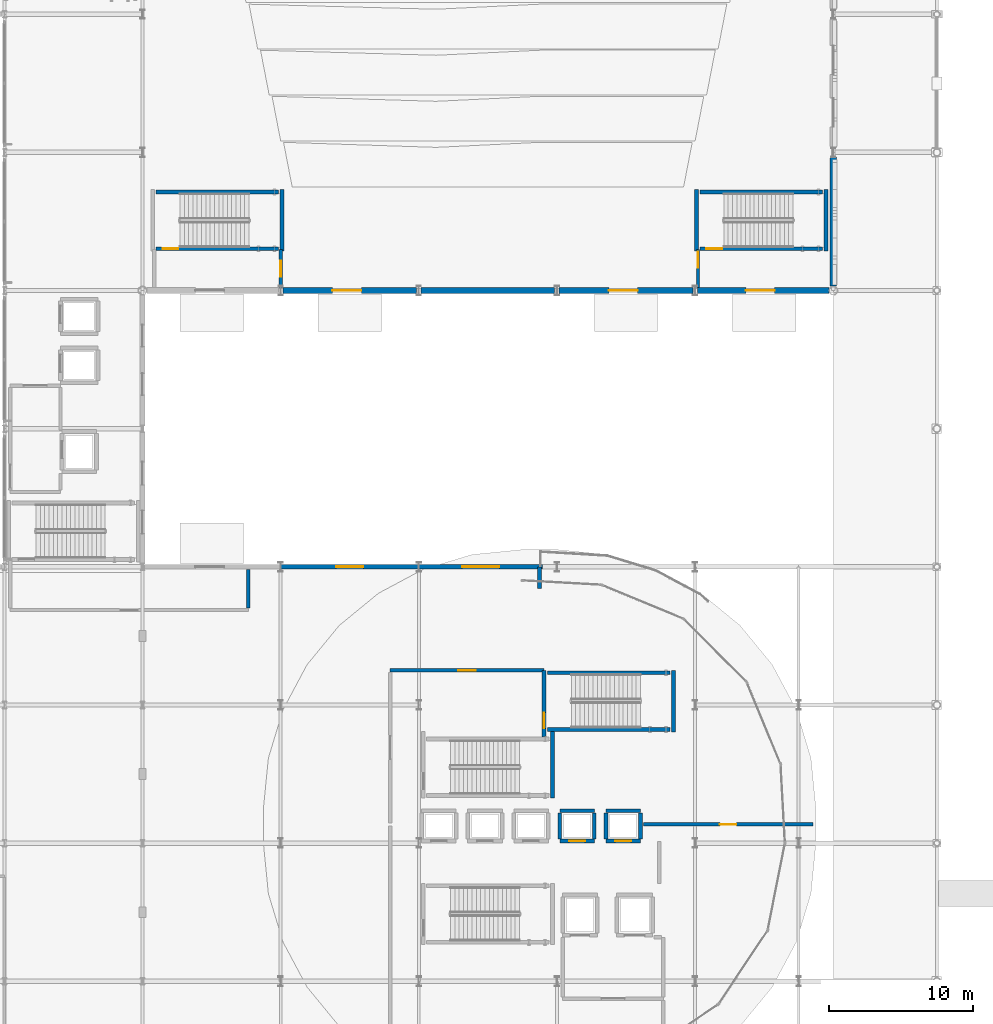
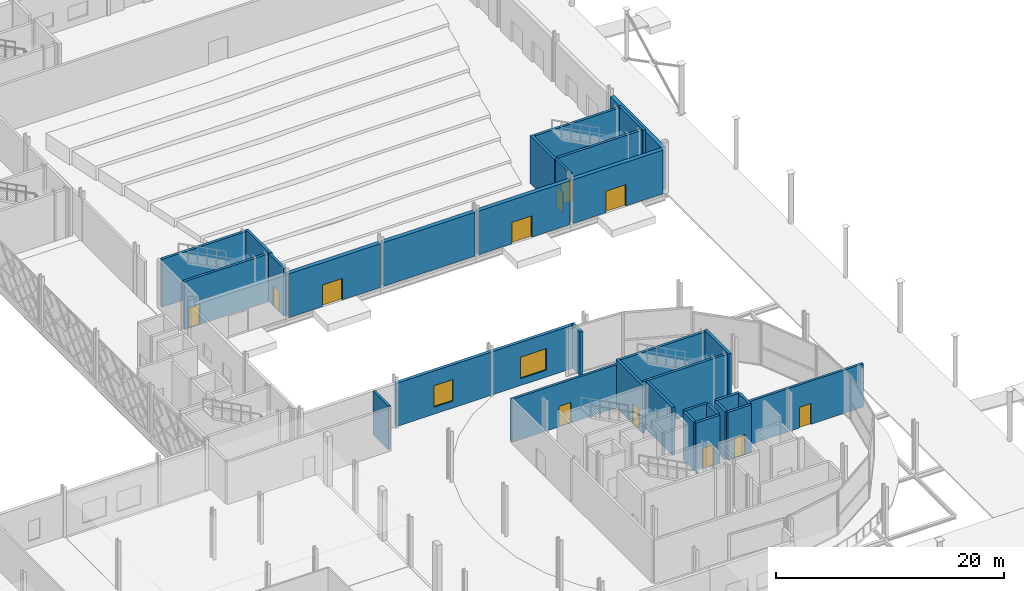
# One storey, part 59 of 84: 33 walls, 12 doors, 2 windows, 14 openings.
"""IFC4 building model written with IfcOpenShell, lengths in metres."""

from ifc_helpers import new_model, si_unit, direction, frame, frame_2d, origin, place, context, subcontext, project, spatial, rectangle, extrude, material, layer, layer_set, type_object, element, fill, save


model = new_model("IFC4")

# Units and contexts
model_context = context("Model", 3, precision=1e-05, world=origin(), true_north=direction((0.0, 1.0)))
body_context = subcontext(model_context, "Body", "Model", "MODEL_VIEW")
ifc_project = project(units=[si_unit("LENGTHUNIT", "METRE"), si_unit("AREAUNIT", "SQUARE_METRE"), si_unit("VOLUMEUNIT", "CUBIC_METRE"), si_unit("PLANEANGLEUNIT", "RADIAN"), si_unit("MASSUNIT", "GRAM", prefix="KILO")], contexts=[model_context])

# Site, building, storey
site_placement = place(None, origin())
site = spatial("IfcSite", under=ifc_project, at=site_placement, CompositionType="ELEMENT")
building_placement = place(site_placement, origin())
building = spatial("IfcBuilding", under=site, at=building_placement, Name="Zevrakil Square Congress Hotel", CompositionType="ELEMENT")
storey_placement = place(building_placement, origin())
storey = spatial("IfcBuildingStorey", under=building, at=storey_placement, Name="L01", CompositionType="ELEMENT", Elevation=0.0)

# Wall, opening, door
ifc_material_1 = material(Name="Concrete C35/45", Category="concrete")
ifc_layer_1 = layer(ifc_material_1, 0.239990234375)
ifc_layer_set_1 = layer_set([ifc_layer_1], Name="Concrete C35/45")
wall_type_1 = type_object("IfcWallType", Name="WAL-COMP-240", PredefinedType="SOLIDWALL", material=ifc_layer_set_1)
wall_1_placement = place(storey_placement, frame((134.800048828125, 38.39990234375, 0.0), z_axis=(0.0, 0.0, 1.0), x_axis=(1.0, 0.0, 0.0)))
wall_1 = element("IfcWall", 1, at=wall_1_placement, inside=storey, type_object=wall_type_1, Name="L01 interior partition PW-L01-0039", PredefinedType="SOLIDWALL", context=body_context, shape_type="SweptSolid", body=[
    extrude(rectangle(XDim=10.699951171875, YDim=0.239990234375, at=frame_2d((5.35009765625, 0.0))), origin(), (0.0, 0.0, 1.0), 4.625),
])
opening_1_placement = place(wall_1_placement, frame((4.75, 0.0, 0.0)))
opening_1 = element("IfcOpeningElement", 2, at=opening_1_placement, cuts=wall_1, Name="Opening FD90", PredefinedType="OPENING", context=body_context, shape_type="SweptSolid", body=[
    extrude(rectangle(XDim=1.199951171875, YDim=2.199951171875, at=frame_2d((0.60009765625, 1.10009765625))), frame((0.0, 0.1298828125, 0.0), z_axis=(0.0, -1.0, 0.0), x_axis=(1.0, 0.0, 0.0)), (0.0, 0.0, 1.0), 0.260009765625),
])
ifc_material_2 = material(Name="Steel S355 Fire-Rated Door", Category="steel")
door_type_1 = type_object("IfcDoorType", Name="DOR-STAIR-FD90-120", OperationType="NOTDEFINED", PredefinedType="DOOR", material=ifc_material_2)
door_1_placement = place(opening_1_placement, origin())
door_1 = element("IfcDoor", 3, at=door_1_placement, inside=storey, type_object=door_type_1, Name="L01 interior door 11", OperationType="SINGLE_SWING_LEFT", OverallHeight=2.199951171875, OverallWidth=1.199951171875, PredefinedType="DOOR", context=body_context, shape_type="SweptSolid", body=[
    extrude(rectangle(XDim=1.199951171875, YDim=2.199951171875, at=frame_2d((0.60009765625, 1.10009765625))), frame((0.0, 0.02490234375, 0.0), z_axis=(0.0, -1.0, 0.0), x_axis=(1.0, 0.0, 0.0)), (0.0, 0.0, 1.0), 0.050048828125),
])
fill(opening_1, door_1)

wall_2_placement = place(storey_placement, frame((152.39990234375, 27.699951171875, 0.0), z_axis=(0.0, 0.0, 1.0), x_axis=(1.0, 0.0, 0.0)))
wall_2 = element("IfcWall", 4, at=wall_2_placement, inside=storey, type_object=wall_type_1, Name="L01 interior partition PW-L01-0041", PredefinedType="SOLIDWALL", context=body_context, shape_type="SweptSolid", body=[
    extrude(rectangle(XDim=11.800048828125, YDim=0.239990234375, at=frame_2d((5.89990234375, 0.0))), origin(), (0.0, 0.0, 1.0), 4.625),
])
opening_2_placement = place(wall_2_placement, frame((5.324951171875, 0.0, 0.0)))
opening_2 = element("IfcOpeningElement", 5, at=opening_2_placement, cuts=wall_2, Name="Opening ID-17", PredefinedType="OPENING", context=body_context, shape_type="SweptSolid", body=[
    extrude(rectangle(XDim=1.14990234375, YDim=2.219970703125, at=frame_2d((0.574951171875, 1.10986328125))), frame((0.0, 0.1298828125, 0.0), z_axis=(0.0, -1.0, 0.0), x_axis=(1.0, 0.0, 0.0)), (0.0, 0.0, 1.0), 0.260009765625),
])
ifc_material_3 = material(Name="Acoustic Timber Fire Door", Category="wood")
door_type_2 = type_object("IfcDoorType", Name="DOR-INT-V07", OperationType="NOTDEFINED", PredefinedType="DOOR", material=ifc_material_3)
door_2_placement = place(opening_2_placement, origin())
door_2 = element("IfcDoor", 6, at=door_2_placement, inside=storey, type_object=door_type_2, Name="L01 interior door 12", OperationType="SINGLE_SWING_RIGHT", OverallHeight=2.219970703125, OverallWidth=1.14990234375, PredefinedType="DOOR", context=body_context, shape_type="SweptSolid", body=[
    extrude(rectangle(XDim=1.14990234375, YDim=2.219970703125, at=frame_2d((0.574951171875, 1.10986328125))), frame((0.0, 0.02490234375, 0.0), z_axis=(0.0, -1.0, 0.0), x_axis=(1.0, 0.0, 0.0)), (0.0, 0.0, 1.0), 0.050048828125),
])
fill(opening_2, door_2)

wall_3_placement = place(storey_placement, frame((127.199951171875, 65.0, 0.0), z_axis=(0.0, 0.0, 1.0), x_axis=(0.0, 1.0, 0.0)))
wall_3 = element("IfcWall", 7, at=wall_3_placement, inside=storey, type_object=wall_type_1, Name="L01 interior partition PW-L01-0155", PredefinedType="SOLIDWALL", context=body_context, shape_type="SweptSolid", body=[
    extrude(rectangle(XDim=2.64990234375, YDim=0.239990234375, at=frame_2d((1.324951171875, 0.0))), origin(), (0.0, 0.0, 1.0), 5.139892578125),
])
opening_3_placement = place(wall_3_placement, frame((0.77490234375, 0.0, 0.0)))
opening_3 = element("IfcOpeningElement", 8, at=opening_3_placement, cuts=wall_3, Name="Opening FD90-B", PredefinedType="OPENING", context=body_context, shape_type="SweptSolid", body=[
    extrude(rectangle(XDim=1.10009765625, YDim=2.199951171875, at=frame_2d((0.550048828125, 1.10009765625))), frame((0.0, 0.1298828125, 0.0), z_axis=(0.0, -1.0, 0.0), x_axis=(1.0, 0.0, 0.0)), (0.0, 0.0, 1.0), 0.260009765625),
])
ifc_material_4 = material(Name="Steel S355 Fire-Rated Door", Category="steel")
door_type_3 = type_object("IfcDoorType", Name="DOR-STAIR-FD90-110", OperationType="NOTDEFINED", PredefinedType="DOOR", material=ifc_material_4)
door_3_placement = place(opening_3_placement, origin())
door_3 = element("IfcDoor", 9, at=door_3_placement, inside=storey, type_object=door_type_3, Name="L01 interior door 61", OperationType="SINGLE_SWING_LEFT", OverallHeight=2.199951171875, OverallWidth=1.10009765625, PredefinedType="DOOR", context=body_context, shape_type="SweptSolid", body=[
    extrude(rectangle(XDim=1.10009765625, YDim=2.199951171875, at=frame_2d((0.550048828125, 1.10009765625))), frame((0.0, 0.02490234375, 0.0), z_axis=(0.0, -1.0, 0.0), x_axis=(1.0, 0.0, 0.0)), (0.0, 0.0, 1.0), 0.050048828125),
])
fill(opening_3, door_3)

wall_4_placement = place(storey_placement, frame((156.199951171875, 65.0, 0.0), z_axis=(0.0, 0.0, 1.0), x_axis=(0.0, 1.0, 0.0)))
wall_4 = element("IfcWall", 10, at=wall_4_placement, inside=storey, type_object=wall_type_1, Name="L01 interior partition PW-L01-0156", PredefinedType="SOLIDWALL", context=body_context, shape_type="SweptSolid", body=[
    extrude(rectangle(XDim=2.64990234375, YDim=0.239990234375, at=frame_2d((1.324951171875, 0.0))), origin(), (0.0, 0.0, 1.0), 5.139892578125),
])
opening_4_placement = place(wall_4_placement, frame((1.389892578125, 0.0, 0.0)))
opening_4 = element("IfcOpeningElement", 11, at=opening_4_placement, cuts=wall_4, Name="Opening FD90-B", PredefinedType="OPENING", context=body_context, shape_type="SweptSolid", body=[
    extrude(rectangle(XDim=1.10009765625, YDim=2.199951171875, at=frame_2d((0.550048828125, 1.10009765625))), frame((0.0, 0.1298828125, 0.0), z_axis=(0.0, -1.0, 0.0), x_axis=(1.0, 0.0, 0.0)), (0.0, 0.0, 1.0), 0.260009765625),
])
door_4_placement = place(opening_4_placement, origin())
door_4 = element("IfcDoor", 12, at=door_4_placement, inside=storey, type_object=door_type_3, Name="L01 interior door 62", OperationType="SINGLE_SWING_RIGHT", OverallHeight=2.199951171875, OverallWidth=1.10009765625, PredefinedType="DOOR", context=body_context, shape_type="SweptSolid", body=[
    extrude(rectangle(XDim=1.10009765625, YDim=2.199951171875, at=frame_2d((0.550048828125, 1.10009765625))), frame((0.0, 0.02490234375, 0.0), z_axis=(0.0, -1.0, 0.0), x_axis=(1.0, 0.0, 0.0)), (0.0, 0.0, 1.0), 0.050048828125),
])
fill(opening_4, door_4)

# Wall
wall_5_placement = place(storey_placement, frame((124.949951171875, 42.72998046875, 0.0), z_axis=(0.0, 0.0, 1.0), x_axis=(0.0, 1.0, 0.0)))
element("IfcWall", 13, at=wall_5_placement, inside=storey, type_object=wall_type_1, Name="L01 interior partition PW-L01-0166", PredefinedType="SOLIDWALL", context=body_context, shape_type="SweptSolid", body=[
    extrude(rectangle(XDim=2.68994140625, YDim=0.239990234375, at=frame_2d((1.344970703125, 0.0))), origin(), (0.0, 0.0, 1.0), 4.68505859375),
])

# Wall, opening, window
ifc_material_5 = material(Name="Precast concrete C40/50", Category="concrete")
ifc_layer_2 = layer(ifc_material_5, 0.320068359375)
ifc_layer_set_2 = layer_set([ifc_layer_2], Name="Precast concrete C40/50")
wall_type_2 = type_object("IfcWallType", Name="WAL-EXT-GRC-320", PredefinedType="SOLIDWALL", material=ifc_layer_set_2)
wall_6_placement = place(storey_placement, frame((127.202880859375, 45.60009765625, 0.0), z_axis=(0.0, 0.0, 1.0), x_axis=(1.0, 0.0, 0.0)))
wall_6 = element("IfcWall", 14, at=wall_6_placement, inside=storey, type_object=wall_type_2, Name="L01 exterior GRC wall EW-L01-0096", PredefinedType="SOLIDWALL", context=body_context, shape_type="SweptSolid", body=[
    extrude(rectangle(XDim=9.59423828125, YDim=0.320068359375, at=frame_2d((4.797119140625, 0.0))), origin(), (0.0, 0.0, 1.0), 4.625),
])
opening_5_placement = place(wall_6_placement, frame((3.846923828125, 0.0, 0.75)))
opening_5 = element("IfcOpeningElement", 15, at=opening_5_placement, cuts=wall_6, Name="Opening WN-38", PredefinedType="OPENING", context=body_context, shape_type="SweptSolid", body=[
    extrude(rectangle(XDim=1.89990234375, YDim=2.300048828125, at=frame_2d((0.949951171875, 1.14990234375))), frame((0.0, 0.169921875, 0.0), z_axis=(0.0, -1.0, 0.0), x_axis=(1.0, 0.0, 0.0)), (0.0, 0.0, 1.0), 0.340087890625),
])
ifc_material_6 = material(Name="Low-E Solar Control Double Glazing", Category="glass")
window_type_1 = type_object("IfcWindowType", Name="WIN-EXT-38", PartitioningType="SINGLE_PANEL", PredefinedType="WINDOW", material=ifc_material_6)
window_1_placement = place(opening_5_placement, origin())
window_1 = element("IfcWindow", 16, at=window_1_placement, inside=storey, type_object=window_type_1, Name="L01 low-E solar window 82", OverallHeight=2.300048828125, OverallWidth=1.89990234375, PartitioningType="SINGLE_PANEL", PredefinedType="WINDOW", context=body_context, shape_type="SweptSolid", body=[
    extrude(rectangle(XDim=1.89990234375, YDim=2.300048828125, at=frame_2d((0.949951171875, 1.14990234375))), frame((0.0, 0.030029296875, 0.0), z_axis=(0.0, -1.0, 0.0), x_axis=(1.0, 0.0, 0.0)), (0.0, 0.0, 1.0), 0.06005859375),
])
fill(opening_5, window_1)

wall_7_placement = place(storey_placement, frame((136.802978515625, 45.60009765625, 0.0), z_axis=(0.0, 0.0, 1.0), x_axis=(1.0, 0.0, 0.0)))
wall_7 = element("IfcWall", 17, at=wall_7_placement, inside=storey, type_object=wall_type_2, Name="L01 exterior GRC wall EW-L01-0099", PredefinedType="SOLIDWALL", context=body_context, shape_type="SweptSolid", body=[
    extrude(rectangle(XDim=8.596923828125, YDim=0.320068359375, at=frame_2d((4.29833984375, 0.0))), origin(), (0.0, 0.0, 1.0), 4.625),
])
opening_6_placement = place(wall_7_placement, frame((2.99853515625, 0.0, 0.75)))
opening_6 = element("IfcOpeningElement", 18, at=opening_6_placement, cuts=wall_7, Name="Opening WN-40", PredefinedType="OPENING", context=body_context, shape_type="SweptSolid", body=[
    extrude(rectangle(XDim=2.60009765625, YDim=2.300048828125, at=frame_2d((1.300048828125, 1.14990234375))), frame((0.0, 0.169921875, 0.0), z_axis=(0.0, -1.0, 0.0), x_axis=(1.0, 0.0, 0.0)), (0.0, 0.0, 1.0), 0.340087890625),
])
ifc_material_7 = material(Name="Low-E Solar Control Double Glazing", Category="glass")
window_type_2 = type_object("IfcWindowType", Name="WIN-EXT-40", PartitioningType="SINGLE_PANEL", PredefinedType="WINDOW", material=ifc_material_7)
window_2_placement = place(opening_6_placement, origin())
window_2 = element("IfcWindow", 19, at=window_2_placement, inside=storey, type_object=window_type_2, Name="L01 low-E solar window 84", OverallHeight=2.300048828125, OverallWidth=2.60009765625, PartitioningType="SINGLE_PANEL", PredefinedType="WINDOW", context=body_context, shape_type="SweptSolid", body=[
    extrude(rectangle(XDim=2.60009765625, YDim=2.300048828125, at=frame_2d((1.300048828125, 1.14990234375))), frame((0.0, 0.030029296875, 0.0), z_axis=(0.0, -1.0, 0.0), x_axis=(1.0, 0.0, 0.0)), (0.0, 0.0, 1.0), 0.06005859375),
])
fill(opening_6, window_2)

# Wall
ifc_material_8 = material(Name="Precast concrete C40/50", Category="concrete")
ifc_layer_3 = layer(ifc_material_8, 0.419921875)
ifc_layer_set_3 = layer_set([ifc_layer_3], Name="Precast concrete C40/50")
wall_type_3 = type_object("IfcWallType", Name="WAL-EXT-HALL-420", PredefinedType="SOLIDWALL", material=ifc_layer_set_3)
wall_8_placement = place(storey_placement, frame((165.60009765625, 65.10888671875, 0.0), z_axis=(0.0, 0.0, 1.0), x_axis=(0.0, 1.0, 0.0)))
element("IfcWall", 20, at=wall_8_placement, inside=storey, type_object=wall_type_3, Name="L01 exterior GRC wall EW-L01-0071", PredefinedType="SOLIDWALL", context=body_context, shape_type="SweptSolid", body=[
    extrude(rectangle(XDim=8.962158203125, YDim=0.419921875, at=frame_2d((4.48095703125, 0.0))), origin(), (0.0, 0.0, 1.0), 4.625),
])

# Wall, opening, door
wall_9_placement = place(storey_placement, frame((127.35400390625, 64.800048828125, 0.0), z_axis=(0.0, 0.0, 1.0), x_axis=(1.0, 0.0, 0.0)))
wall_9 = element("IfcWall", 21, at=wall_9_placement, inside=storey, type_object=wall_type_3, Name="L01 exterior GRC wall EW-L01-0079", PredefinedType="SOLIDWALL", context=body_context, shape_type="SweptSolid", body=[
    extrude(rectangle(XDim=9.2919921875, YDim=0.419921875, at=frame_2d((4.64599609375, 0.0))), origin(), (0.0, 0.0, 1.0), 4.68505859375),
])
opening_7_placement = place(wall_9_placement, frame((3.446044921875, 0.0, 0.0)))
opening_7 = element("IfcOpeningElement", 22, at=opening_7_placement, cuts=wall_9, Name="Opening E44", PredefinedType="OPENING", context=body_context, shape_type="SweptSolid", body=[
    extrude(rectangle(XDim=2.0, YDim=2.300048828125, at=frame_2d((1.0, 1.14990234375))), frame((0.0, 0.219970703125, 0.0), z_axis=(0.0, -1.0, 0.0), x_axis=(1.0, 0.0, 0.0)), (0.0, 0.0, 1.0), 0.43994140625),
])
ifc_material_9 = material(Name="Aluminium Thermal-Break Glazed Door", Category="aluminium")
door_type_4 = type_object("IfcDoorType", Name="DOR-EXIT-200", OperationType="NOTDEFINED", PredefinedType="DOOR", material=ifc_material_9)
door_5_placement = place(opening_7_placement, frame((2.0, 0.0, 0.0), z_axis=(0.0, 0.0, 1.0), x_axis=(-1.0, 0.0, 0.0)))
door_5 = element("IfcDoor", 23, at=door_5_placement, inside=storey, type_object=door_type_4, Name="L01 pedestrian final exit door E44", OperationType="DOUBLE_DOOR_SINGLE_SWING", OverallHeight=2.300048828125, OverallWidth=2.0, PredefinedType="DOOR", context=body_context, shape_type="SweptSolid", body=[
    extrude(rectangle(XDim=2.0, YDim=2.300048828125, at=frame_2d((1.0, 1.14990234375))), frame((0.0, 0.02490234375, 0.0), z_axis=(0.0, -1.0, 0.0), x_axis=(1.0, 0.0, 0.0)), (0.0, 0.0, 1.0), 0.050048828125),
])
fill(opening_7, door_5)

# Wall
wall_10_placement = place(storey_placement, frame((136.9541015625, 64.800048828125, 0.0), z_axis=(0.0, 0.0, 1.0), x_axis=(1.0, 0.0, 0.0)))
element("IfcWall", 24, at=wall_10_placement, inside=storey, type_object=wall_type_3, Name="L01 exterior GRC wall EW-L01-0080", PredefinedType="SOLIDWALL", context=body_context, shape_type="SweptSolid", body=[
    extrude(rectangle(XDim=9.2919921875, YDim=0.419921875, at=frame_2d((4.64599609375, 0.0))), origin(), (0.0, 0.0, 1.0), 4.68505859375),
])

# Wall, opening, door
wall_11_placement = place(storey_placement, frame((146.553955078125, 64.800048828125, 0.0), z_axis=(0.0, 0.0, 1.0), x_axis=(1.0, 0.0, 0.0)))
wall_11 = element("IfcWall", 25, at=wall_11_placement, inside=storey, type_object=wall_type_3, Name="L01 exterior GRC wall EW-L01-0081", PredefinedType="SOLIDWALL", context=body_context, shape_type="SweptSolid", body=[
    extrude(rectangle(XDim=9.2919921875, YDim=0.419921875, at=frame_2d((4.64599609375, 0.0))), origin(), (0.0, 0.0, 1.0), 4.68505859375),
])
opening_8_placement = place(wall_11_placement, frame((3.446044921875, 0.0, 0.0)))
opening_8 = element("IfcOpeningElement", 26, at=opening_8_placement, cuts=wall_11, Name="Opening E45", PredefinedType="OPENING", context=body_context, shape_type="SweptSolid", body=[
    extrude(rectangle(XDim=2.0, YDim=2.300048828125, at=frame_2d((1.0, 1.14990234375))), frame((0.0, 0.219970703125, 0.0), z_axis=(0.0, -1.0, 0.0), x_axis=(1.0, 0.0, 0.0)), (0.0, 0.0, 1.0), 0.43994140625),
])
door_6_placement = place(opening_8_placement, frame((2.0, 0.0, 0.0), z_axis=(0.0, 0.0, 1.0), x_axis=(-1.0, 0.0, 0.0)))
door_6 = element("IfcDoor", 27, at=door_6_placement, inside=storey, type_object=door_type_4, Name="L01 pedestrian final exit door E45", OperationType="DOUBLE_DOOR_SINGLE_SWING", OverallHeight=2.300048828125, OverallWidth=2.0, PredefinedType="DOOR", context=body_context, shape_type="SweptSolid", body=[
    extrude(rectangle(XDim=2.0, YDim=2.300048828125, at=frame_2d((1.0, 1.14990234375))), frame((0.0, 0.02490234375, 0.0), z_axis=(0.0, -1.0, 0.0), x_axis=(1.0, 0.0, 0.0)), (0.0, 0.0, 1.0), 0.050048828125),
])
fill(opening_8, door_6)

wall_12_placement = place(storey_placement, frame((156.154052734375, 64.800048828125, 0.0), z_axis=(0.0, 0.0, 1.0), x_axis=(1.0, 0.0, 0.0)))
wall_12 = element("IfcWall", 28, at=wall_12_placement, inside=storey, type_object=wall_type_3, Name="L01 exterior GRC wall EW-L01-0082", PredefinedType="SOLIDWALL", context=body_context, shape_type="SweptSolid", body=[
    extrude(rectangle(XDim=9.136962890625, YDim=0.419921875, at=frame_2d((4.568359375, 0.0))), origin(), (0.0, 0.0, 1.0), 4.68505859375),
])
opening_9_placement = place(wall_12_placement, frame((3.368408203125, 0.0, 0.0)))
opening_9 = element("IfcOpeningElement", 29, at=opening_9_placement, cuts=wall_12, Name="Opening E46", PredefinedType="OPENING", context=body_context, shape_type="SweptSolid", body=[
    extrude(rectangle(XDim=2.0, YDim=2.300048828125, at=frame_2d((1.0, 1.14990234375))), frame((0.0, 0.219970703125, 0.0), z_axis=(0.0, -1.0, 0.0), x_axis=(1.0, 0.0, 0.0)), (0.0, 0.0, 1.0), 0.43994140625),
])
door_7_placement = place(opening_9_placement, frame((2.0, 0.0, 0.0), z_axis=(0.0, 0.0, 1.0), x_axis=(-1.0, 0.0, 0.0)))
door_7 = element("IfcDoor", 30, at=door_7_placement, inside=storey, type_object=door_type_4, Name="L01 pedestrian final exit door E46", OperationType="DOUBLE_DOOR_SINGLE_SWING", OverallHeight=2.300048828125, OverallWidth=2.0, PredefinedType="DOOR", context=body_context, shape_type="SweptSolid", body=[
    extrude(rectangle(XDim=2.0, YDim=2.300048828125, at=frame_2d((1.0, 1.14990234375))), frame((0.0, 0.02490234375, 0.0), z_axis=(0.0, -1.0, 0.0), x_axis=(1.0, 0.0, 0.0)), (0.0, 0.0, 1.0), 0.050048828125),
])
fill(opening_9, door_7)

# Walls
ifc_material_10 = material(Name="Precast concrete C40/50", Category="concrete")
ifc_layer_4 = layer(ifc_material_10, 0.280029296875)
ifc_layer_set_4 = layer_set([ifc_layer_4], Name="Precast concrete C40/50")
wall_type_4 = type_object("IfcWallType", Name="WAL-EXT-PAV-280", PredefinedType="SOLIDWALL", material=ifc_layer_set_4)
wall_13_placement = place(storey_placement, frame((145.199951171875, 44.10009765625, 0.0), z_axis=(0.0, 0.0, 1.0), x_axis=(0.0, 1.0, 0.0)))
element("IfcWall", 31, at=wall_13_placement, inside=storey, type_object=wall_type_4, Name="L01 exterior GRC wall EW-L01-0103", PredefinedType="SOLIDWALL", context=body_context, shape_type="SweptSolid", body=[
    extrude(rectangle(XDim=1.5, YDim=0.280029296875, at=frame_2d((0.75, 0.0))), origin(), (0.0, 0.0, 1.0), 4.68505859375),
])
ifc_material_11 = material(Name="Concrete C40/50", Category="concrete")
ifc_layer_5 = layer(ifc_material_11, 0.260009765625)
ifc_layer_set_5 = layer_set([ifc_layer_5], Name="Concrete C40/50")
wall_type_5 = type_object("IfcWallType", Name="WAL-SHAFT-260", PredefinedType="SHEAR", material=ifc_layer_set_5)
wall_14_placement = place(storey_placement, frame((146.094970703125, 29.5400390625, 0.0), z_axis=(0.0, 0.0, 1.0), x_axis=(0.0, 1.0, 0.0)))
element("IfcWall", 32, at=wall_14_placement, inside=storey, type_object=wall_type_5, Name="L01 ST02 stair shaft E wall", PredefinedType="SHEAR", context=body_context, shape_type="SweptSolid", body=[
    extrude(rectangle(XDim=4.635009765625, YDim=0.260009765625, at=frame_2d((2.3173828125, 0.0))), origin(), (0.0, 0.0, 1.0), 5.139892578125),
])

# Wall, opening, door
wall_15_placement = place(storey_placement, frame((145.5048828125, 33.764892578125, 0.0), z_axis=(0.0, 0.0, 1.0), x_axis=(0.0, 1.0, 0.0)))
wall_15 = element("IfcWall", 33, at=wall_15_placement, inside=storey, type_object=wall_type_5, Name="L01 ST03 stair shaft W wall", PredefinedType="SHEAR", context=body_context, shape_type="SweptSolid", body=[
    extrude(rectangle(XDim=4.64501953125, YDim=0.260009765625, at=frame_2d((2.322509765625, 0.0))), origin(), (0.0, 0.0, 1.0), 5.139892578125),
])
opening_10_placement = place(wall_15_placement, frame((0.610107421875, 0.0, 0.0)))
opening_10 = element("IfcOpeningElement", 34, at=opening_10_placement, cuts=wall_15, Name="Opening SD-ST03", PredefinedType="OPENING", context=body_context, shape_type="SweptSolid", body=[
    extrude(rectangle(XDim=1.10009765625, YDim=2.199951171875, at=frame_2d((0.550048828125, 1.10009765625))), frame((0.0, 0.14013671875, 0.0), z_axis=(0.0, -1.0, 0.0), x_axis=(1.0, 0.0, 0.0)), (0.0, 0.0, 1.0), 0.280029296875),
])
door_8_placement = place(opening_10_placement, origin())
door_8 = element("IfcDoor", 35, at=door_8_placement, inside=storey, type_object=door_type_3, Name="L01 ST03 protected stair fire door", OperationType="SINGLE_SWING_RIGHT", OverallHeight=2.199951171875, OverallWidth=1.10009765625, PredefinedType="DOOR", context=body_context, shape_type="SweptSolid", body=[
    extrude(rectangle(XDim=1.10009765625, YDim=2.199951171875, at=frame_2d((0.550048828125, 1.10009765625))), frame((0.0, 0.02490234375, 0.0), z_axis=(0.0, -1.0, 0.0), x_axis=(1.0, 0.0, 0.0)), (0.0, 0.0, 1.0), 0.050048828125),
])
fill(opening_10, door_8)

# Walls
wall_16_placement = place(storey_placement, frame((154.4951171875, 34.139892578125, 0.0), z_axis=(0.0, 0.0, 1.0), x_axis=(0.0, 1.0, 0.0)))
element("IfcWall", 36, at=wall_16_placement, inside=storey, type_object=wall_type_5, Name="L01 ST03 stair shaft E wall", PredefinedType="SHEAR", context=body_context, shape_type="SweptSolid", body=[
    extrude(rectangle(XDim=4.27001953125, YDim=0.260009765625, at=frame_2d((2.135009765625, 0.0))), origin(), (0.0, 0.0, 1.0), 5.139892578125),
])
for number, where, z_axis, x_axis, name in (
    (37, (145.739990234375, 34.304931640625, 0.0), (0.0, 0.0, 1.0), (1.0, 0.0, 0.0), "L01 ST03 stair shaft S wall"),
    (38, (145.739990234375, 38.2451171875, 0.0), (0.0, 0.0, 1.0), (1.0, 0.0, 0.0), "L01 ST03 stair shaft N wall"),
):
    element("IfcWall", number, at=place(storey_placement, frame(where, z_axis=z_axis, x_axis=x_axis)), inside=storey, type_object=wall_type_5, Name=name, PredefinedType="SHEAR", context=body_context, shape_type="SweptSolid", body=[
        extrude(rectangle(XDim=8.52001953125, YDim=0.260009765625, at=frame_2d((4.260009765625, 0.0))), origin(), (0.0, 0.0, 1.0), 5.139892578125),
    ])
wall_17_placement = place(storey_placement, frame((127.294921875, 67.5400390625, 0.0), z_axis=(0.0, 0.0, 1.0), x_axis=(0.0, 1.0, 0.0)))
element("IfcWall", 39, at=wall_17_placement, inside=storey, type_object=wall_type_5, Name="L01 ST08 stair shaft E wall", PredefinedType="SHEAR", context=body_context, shape_type="SweptSolid", body=[
    extrude(rectangle(XDim=4.27001953125, YDim=0.260009765625, at=frame_2d((2.135009765625, 0.0))), origin(), (0.0, 0.0, 1.0), 5.139892578125),
])

# Wall, opening, door
wall_18_placement = place(storey_placement, frame((118.5400390625, 67.705078125, 0.0), z_axis=(0.0, 0.0, 1.0), x_axis=(1.0, 0.0, 0.0)))
wall_18 = element("IfcWall", 40, at=wall_18_placement, inside=storey, type_object=wall_type_5, Name="L01 ST08 stair shaft S wall", PredefinedType="SHEAR", context=body_context, shape_type="SweptSolid", body=[
    extrude(rectangle(XDim=8.52001953125, YDim=0.260009765625, at=frame_2d((4.260009765625, 0.0))), origin(), (0.0, 0.0, 1.0), 5.139892578125),
])
opening_11_placement = place(wall_18_placement, frame((0.449951171875, 0.0, 0.0)))
opening_11 = element("IfcOpeningElement", 41, at=opening_11_placement, cuts=wall_18, Name="Opening SD-ST08", PredefinedType="OPENING", context=body_context, shape_type="SweptSolid", body=[
    extrude(rectangle(XDim=1.10009765625, YDim=2.199951171875, at=frame_2d((0.550048828125, 1.10009765625))), frame((0.0, 0.14013671875, 0.0), z_axis=(0.0, -1.0, 0.0), x_axis=(1.0, 0.0, 0.0)), (0.0, 0.0, 1.0), 0.280029296875),
])
door_9_placement = place(opening_11_placement, origin())
door_9 = element("IfcDoor", 42, at=door_9_placement, inside=storey, type_object=door_type_3, Name="L01 ST08 protected stair fire door", OperationType="SINGLE_SWING_RIGHT", OverallHeight=2.199951171875, OverallWidth=1.10009765625, PredefinedType="DOOR", context=body_context, shape_type="SweptSolid", body=[
    extrude(rectangle(XDim=1.10009765625, YDim=2.199951171875, at=frame_2d((0.550048828125, 1.10009765625))), frame((0.0, 0.02490234375, 0.0), z_axis=(0.0, -1.0, 0.0), x_axis=(1.0, 0.0, 0.0)), (0.0, 0.0, 1.0), 0.050048828125),
])
fill(opening_11, door_9)

# Walls
wall_19_placement = place(storey_placement, frame((118.5400390625, 71.64501953125, 0.0), z_axis=(0.0, 0.0, 1.0), x_axis=(1.0, 0.0, 0.0)))
element("IfcWall", 43, at=wall_19_placement, inside=storey, type_object=wall_type_5, Name="L01 ST08 stair shaft N wall", PredefinedType="SHEAR", context=body_context, shape_type="SweptSolid", body=[
    extrude(rectangle(XDim=8.52001953125, YDim=0.260009765625, at=frame_2d((4.260009765625, 0.0))), origin(), (0.0, 0.0, 1.0), 5.139892578125),
])
for number, where, z_axis, x_axis, name in (
    (44, (156.10498046875, 67.5400390625, 0.0), (0.0, 0.0, 1.0), (0.0, 1.0, 0.0), "L01 ST09 stair shaft W wall"),
    (45, (165.094970703125, 67.5400390625, 0.0), (0.0, 0.0, 1.0), (0.0, 1.0, 0.0), "L01 ST09 stair shaft E wall"),
):
    element("IfcWall", number, at=place(storey_placement, frame(where, z_axis=z_axis, x_axis=x_axis)), inside=storey, type_object=wall_type_5, Name=name, PredefinedType="SHEAR", context=body_context, shape_type="SweptSolid", body=[
        extrude(rectangle(XDim=4.27001953125, YDim=0.260009765625, at=frame_2d((2.135009765625, 0.0))), origin(), (0.0, 0.0, 1.0), 5.139892578125),
    ])

# Wall, opening, door
wall_20_placement = place(storey_placement, frame((156.340087890625, 67.705078125, 0.0), z_axis=(0.0, 0.0, 1.0), x_axis=(1.0, 0.0, 0.0)))
wall_20 = element("IfcWall", 46, at=wall_20_placement, inside=storey, type_object=wall_type_5, Name="L01 ST09 stair shaft S wall", PredefinedType="SHEAR", context=body_context, shape_type="SweptSolid", body=[
    extrude(rectangle(XDim=8.52001953125, YDim=0.260009765625, at=frame_2d((4.260009765625, 0.0))), origin(), (0.0, 0.0, 1.0), 5.139892578125),
])
opening_12_placement = place(wall_20_placement, frame((0.449951171875, 0.0, 0.0)))
opening_12 = element("IfcOpeningElement", 47, at=opening_12_placement, cuts=wall_20, Name="Opening SD-ST09", PredefinedType="OPENING", context=body_context, shape_type="SweptSolid", body=[
    extrude(rectangle(XDim=1.10009765625, YDim=2.199951171875, at=frame_2d((0.550048828125, 1.10009765625))), frame((0.0, 0.14013671875, 0.0), z_axis=(0.0, -1.0, 0.0), x_axis=(1.0, 0.0, 0.0)), (0.0, 0.0, 1.0), 0.280029296875),
])
door_10_placement = place(opening_12_placement, origin())
door_10 = element("IfcDoor", 48, at=door_10_placement, inside=storey, type_object=door_type_3, Name="L01 ST09 protected stair fire door", OperationType="SINGLE_SWING_RIGHT", OverallHeight=2.199951171875, OverallWidth=1.10009765625, PredefinedType="DOOR", context=body_context, shape_type="SweptSolid", body=[
    extrude(rectangle(XDim=1.10009765625, YDim=2.199951171875, at=frame_2d((0.550048828125, 1.10009765625))), frame((0.0, 0.02490234375, 0.0), z_axis=(0.0, -1.0, 0.0), x_axis=(1.0, 0.0, 0.0)), (0.0, 0.0, 1.0), 0.050048828125),
])
fill(opening_12, door_10)

# Wall
wall_21_placement = place(storey_placement, frame((156.340087890625, 71.64501953125, 0.0), z_axis=(0.0, 0.0, 1.0), x_axis=(1.0, 0.0, 0.0)))
element("IfcWall", 49, at=wall_21_placement, inside=storey, type_object=wall_type_5, Name="L01 ST09 stair shaft N wall", PredefinedType="SHEAR", context=body_context, shape_type="SweptSolid", body=[
    extrude(rectangle(XDim=8.52001953125, YDim=0.260009765625, at=frame_2d((4.260009765625, 0.0))), origin(), (0.0, 0.0, 1.0), 5.139892578125),
])

# Wall, opening, door
wall_22_placement = place(storey_placement, frame((146.60009765625, 26.550048828125, 0.0), z_axis=(0.0, 0.0, 1.0), x_axis=(1.0, 0.0, 0.0)))
wall_22 = element("IfcWall", 50, at=wall_22_placement, inside=storey, type_object=wall_type_5, Name="L01 HL4 lift shaft wall", PredefinedType="SHEAR", context=body_context, shape_type="SweptSolid", body=[
    extrude(rectangle(XDim=2.39990234375, YDim=0.260009765625, at=frame_2d((1.199951171875, 0.0))), origin(), (0.0, 0.0, 1.0), 5.139892578125),
])
opening_13_placement = place(wall_22_placement, frame((0.64990234375, 0.0, 0.0)))
opening_13 = element("IfcOpeningElement", 51, at=opening_13_placement, cuts=wall_22, Name="Opening LD-HL4", PredefinedType="OPENING", context=body_context, shape_type="SweptSolid", body=[
    extrude(rectangle(XDim=1.10009765625, YDim=2.199951171875, at=frame_2d((0.550048828125, 1.10009765625))), frame((0.0, 0.14013671875, 0.0), z_axis=(0.0, -1.0, 0.0), x_axis=(1.0, 0.0, 0.0)), (0.0, 0.0, 1.0), 0.280029296875),
])
ifc_material_12 = material(Name="Stainless Steel Sliding Lift Landing Door", Category="steel")
door_type_5 = type_object("IfcDoorType", Name="DOR-LIFT-LD110", OperationType="NOTDEFINED", PredefinedType="DOOR", material=ifc_material_12)
door_11_placement = place(opening_13_placement, origin())
door_11 = element("IfcDoor", 52, at=door_11_placement, inside=storey, type_object=door_type_5, Name="L01 HL4 sliding lift landing door", OperationType="SLIDING_TO_RIGHT", OverallHeight=2.199951171875, OverallWidth=1.10009765625, PredefinedType="DOOR", context=body_context, shape_type="SweptSolid", body=[
    extrude(rectangle(XDim=1.10009765625, YDim=2.199951171875, at=frame_2d((0.550048828125, 1.10009765625))), frame((0.0, 0.02490234375, 0.0), z_axis=(0.0, -1.0, 0.0), x_axis=(1.0, 0.0, 0.0)), (0.0, 0.0, 1.0), 0.050048828125),
])
fill(opening_13, door_11)

# Walls
wall_23_placement = place(storey_placement, frame((146.60009765625, 28.64990234375, 0.0), z_axis=(0.0, 0.0, 1.0), x_axis=(1.0, 0.0, 0.0)))
element("IfcWall", 53, at=wall_23_placement, inside=storey, type_object=wall_type_5, Name="L01 HL4 lift shaft wall", PredefinedType="SHEAR", context=body_context, shape_type="SweptSolid", body=[
    extrude(rectangle(XDim=2.39990234375, YDim=0.260009765625, at=frame_2d((1.199951171875, 0.0))), origin(), (0.0, 0.0, 1.0), 5.139892578125),
])
for number, where, z_axis, x_axis, name in (
    (54, (146.60009765625, 26.68994140625, 0.0), (0.0, 0.0, 1.0), (0.0, 1.0, 0.0), "L01 HL4 lift shaft wall"),
    (55, (149.0, 26.68994140625, 0.0), (0.0, 0.0, 1.0), (0.0, 1.0, 0.0), "L01 HL4 lift shaft wall"),
):
    element("IfcWall", number, at=place(storey_placement, frame(where, z_axis=z_axis, x_axis=x_axis)), inside=storey, type_object=wall_type_5, Name=name, PredefinedType="SHEAR", context=body_context, shape_type="SweptSolid", body=[
        extrude(rectangle(XDim=1.820068359375, YDim=0.260009765625, at=frame_2d((0.91015625, 0.0))), origin(), (0.0, 0.0, 1.0), 5.139892578125),
    ])

# Wall, opening, door
wall_24_placement = place(storey_placement, frame((149.800048828125, 26.550048828125, 0.0), z_axis=(0.0, 0.0, 1.0), x_axis=(1.0, 0.0, 0.0)))
wall_24 = element("IfcWall", 56, at=wall_24_placement, inside=storey, type_object=wall_type_5, Name="L01 HL5 lift shaft wall", PredefinedType="SHEAR", context=body_context, shape_type="SweptSolid", body=[
    extrude(rectangle(XDim=2.39990234375, YDim=0.260009765625, at=frame_2d((1.199951171875, 0.0))), origin(), (0.0, 0.0, 1.0), 5.139892578125),
])
opening_14_placement = place(wall_24_placement, frame((0.64990234375, 0.0, 0.0)))
opening_14 = element("IfcOpeningElement", 57, at=opening_14_placement, cuts=wall_24, Name="Opening LD-HL5", PredefinedType="OPENING", context=body_context, shape_type="SweptSolid", body=[
    extrude(rectangle(XDim=1.10009765625, YDim=2.199951171875, at=frame_2d((0.550048828125, 1.10009765625))), frame((0.0, 0.14013671875, 0.0), z_axis=(0.0, -1.0, 0.0), x_axis=(1.0, 0.0, 0.0)), (0.0, 0.0, 1.0), 0.280029296875),
])
door_12_placement = place(opening_14_placement, origin())
door_12 = element("IfcDoor", 58, at=door_12_placement, inside=storey, type_object=door_type_5, Name="L01 HL5 sliding lift landing door", OperationType="SLIDING_TO_LEFT", OverallHeight=2.199951171875, OverallWidth=1.10009765625, PredefinedType="DOOR", context=body_context, shape_type="SweptSolid", body=[
    extrude(rectangle(XDim=1.10009765625, YDim=2.199951171875, at=frame_2d((0.550048828125, 1.10009765625))), frame((0.0, 0.02490234375, 0.0), z_axis=(0.0, -1.0, 0.0), x_axis=(1.0, 0.0, 0.0)), (0.0, 0.0, 1.0), 0.050048828125),
])
fill(opening_14, door_12)

# Walls
wall_25_placement = place(storey_placement, frame((149.800048828125, 28.64990234375, 0.0), z_axis=(0.0, 0.0, 1.0), x_axis=(1.0, 0.0, 0.0)))
element("IfcWall", 59, at=wall_25_placement, inside=storey, type_object=wall_type_5, Name="L01 HL5 lift shaft wall", PredefinedType="SHEAR", context=body_context, shape_type="SweptSolid", body=[
    extrude(rectangle(XDim=2.39990234375, YDim=0.260009765625, at=frame_2d((1.199951171875, 0.0))), origin(), (0.0, 0.0, 1.0), 5.139892578125),
])
for number, where, z_axis, x_axis, name in (
    (60, (149.800048828125, 26.68994140625, 0.0), (0.0, 0.0, 1.0), (0.0, 1.0, 0.0), "L01 HL5 lift shaft wall"),
    (61, (152.199951171875, 26.68994140625, 0.0), (0.0, 0.0, 1.0), (0.0, 1.0, 0.0), "L01 HL5 lift shaft wall"),
):
    element("IfcWall", number, at=place(storey_placement, frame(where, z_axis=z_axis, x_axis=x_axis)), inside=storey, type_object=wall_type_5, Name=name, PredefinedType="SHEAR", context=body_context, shape_type="SweptSolid", body=[
        extrude(rectangle(XDim=1.820068359375, YDim=0.260009765625, at=frame_2d((0.91015625, 0.0))), origin(), (0.0, 0.0, 1.0), 5.139892578125),
    ])

save(model, "model.ifc")
